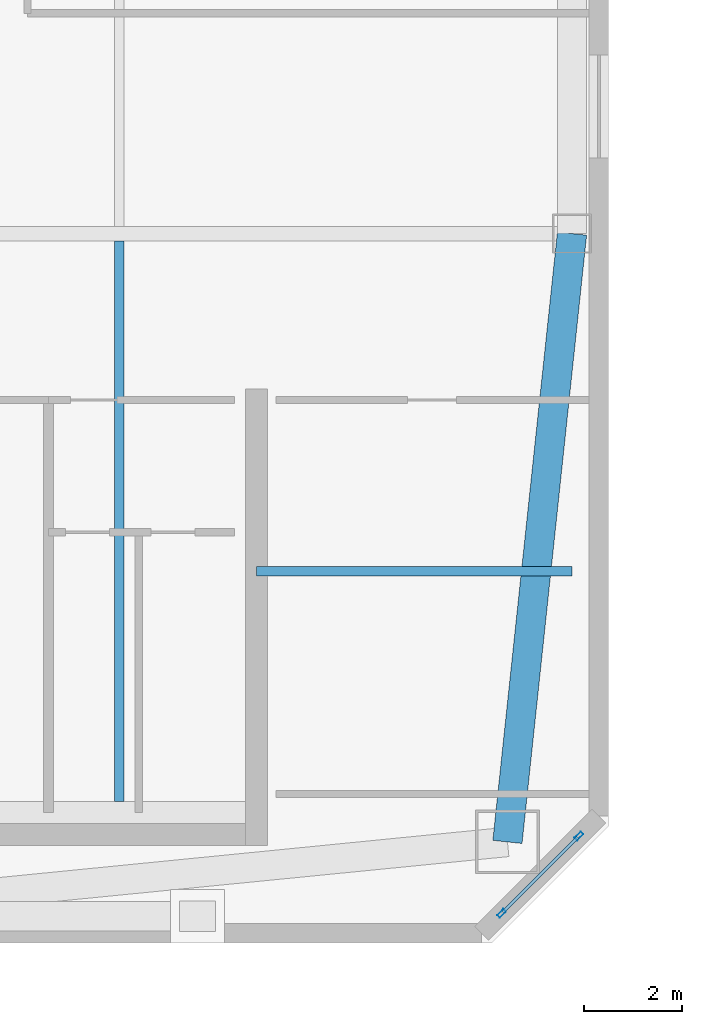
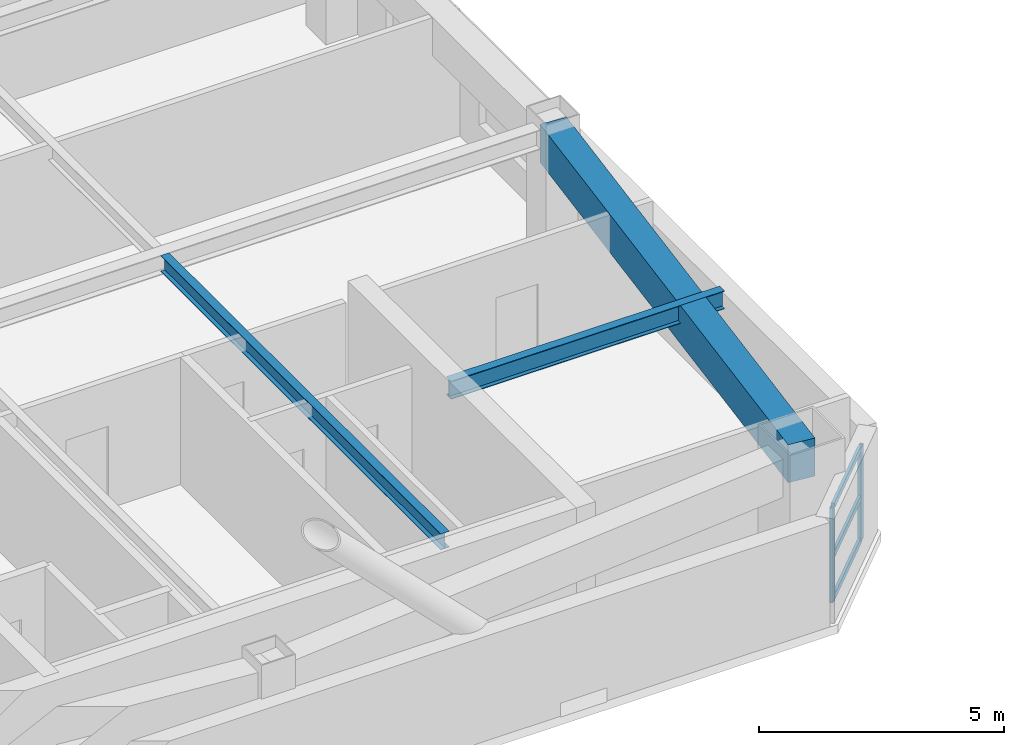
# One storey, part 4 of 20: 5 members, 3 beams, 1 element without a shape of its own.
"""IFC4 building model written with IfcOpenShell, lengths in metres."""

from ifc_helpers import new_model, si_unit, direction, frame, origin, origin_2d, place, context, subcontext, project, spatial, rectangle, hollow_rectangle, i_section, extrude, material, layer, layer_set, material_profile, profile_set, type_object, element, aggregate, save


model = new_model("IFC4")

# Units and contexts
model_context = context("Model", 3, precision=1e-05, world=origin(), true_north=direction((0.0, 1.0)))
body_context = subcontext(model_context, "Body", "Model", "MODEL_VIEW")
ifc_project = project(units=[si_unit("LENGTHUNIT", "METRE"), si_unit("AREAUNIT", "SQUARE_METRE"), si_unit("VOLUMEUNIT", "CUBIC_METRE"), si_unit("PLANEANGLEUNIT", "RADIAN"), si_unit("MASSUNIT", "GRAM", prefix="KILO")], contexts=[model_context])

# Site, building, storey
site_placement = place(None, origin())
site = spatial("IfcSite", under=ifc_project, at=site_placement, CompositionType="ELEMENT")
building_placement = place(site_placement, origin())
building = spatial("IfcBuilding", under=site, at=building_placement, Name="Qiaolan Cultural Towers", CompositionType="ELEMENT")
storey_placement = place(building_placement, frame((0.0, 0.0, 223.10009765625)))
storey = spatial("IfcBuildingStorey", under=building, at=storey_placement, Name="L60", CompositionType="ELEMENT", Elevation=223.10009765625)

# Beams
ifc_material_1 = material(Name="Steel Q355B", Category="steel")
ifc_material_profile_1 = material_profile(ifc_material_1, i_section(OverallWidth=0.199951171875, OverallDepth=0.39990234375, WebThickness=0.008056640625, FlangeThickness=0.012939453125, at=origin_2d()), Name="HN400x200x8x13")
ifc_profile_set_1 = profile_set([ifc_material_profile_1], Name="Steel Q355B")
beam_type_1 = type_object("IfcBeamType", Name="BM-JST-HN400x200x8x13", PredefinedType="JOIST", material=ifc_profile_set_1)
beam_1_placement = place(storey_placement, frame((35.39990234375, 13.39990234375, 2.989990234375), z_axis=(0.0, 1.0, 0.0), x_axis=(-1.0, 0.0, 0.0)))
element("IfcBeam", 1, at=beam_1_placement, inside=storey, type_object=beam_type_1, Name="L60 T1 Secondary Floor Joist U3-1", PredefinedType="JOIST", context=body_context, shape_type="SweptSolid", body=[
    extrude(i_section(OverallWidth=0.199951171875, OverallDepth=0.39990234375, WebThickness=0.008056640625, FlangeThickness=0.012939453125, at=origin_2d()), origin(), (0.0, 0.0, 1.0), 11.4501953125),
])
ifc_material_2 = material(Name="Steel Q355B", Category="steel")
ifc_material_profile_2 = material_profile(ifc_material_2, i_section(OverallWidth=0.199951171875, OverallDepth=0.449951171875, WebThickness=0.009033203125, FlangeThickness=0.013916015625, at=origin_2d()), Name="HN450x200x9x14")
ifc_profile_set_2 = profile_set([ifc_material_profile_2], Name="Steel Q355B")
beam_type_2 = type_object("IfcBeamType", Name="BM-LNT-HN450x200x9x14", PredefinedType="LINTEL", material=ifc_profile_set_2)
beam_2_placement = place(storey_placement, frame((38.199951171875, 18.10009765625, 2.96484375), z_axis=(1.0, 0.0, 0.0), x_axis=(0.0, 1.0, 0.0)))
element("IfcBeam", 2, at=beam_2_placement, inside=storey, type_object=beam_type_2, Name="L60 T1 Core Flank Tie Lintel ES", PredefinedType="LINTEL", context=body_context, shape_type="SweptSolid", body=[
    extrude(i_section(OverallWidth=0.199951171875, OverallDepth=0.449951171875, WebThickness=0.009033203125, FlangeThickness=0.013916015625, at=origin_2d()), origin(), (0.0, 0.0, 1.0), 6.449951171875),
])
ifc_material_3 = material(Name="Concrete C50", Category="concrete")
ifc_material_profile_3 = material_profile(ifc_material_3, rectangle(XDim=0.60009765625, YDim=0.949951171875, at=origin_2d()), Name="RC600x950")
ifc_profile_set_3 = profile_set([ifc_material_profile_3], Name="Concrete C50")
beam_type_3 = type_object("IfcBeamType", Name="BM-SPD-RC600x950", PredefinedType="SPANDREL", material=ifc_profile_set_3)
beam_3_placement = place(storey_placement, frame((43.330078125, 12.570068359375, 2.71484375), z_axis=(0.105587580773, 0.994410007384, 0.0), x_axis=(-0.994410007384, 0.105587580773, 0.0)))
element("IfcBeam", 3, at=beam_3_placement, inside=storey, type_object=beam_type_3, Name="L60 T1 Perimeter Spandrel Beam 3", PredefinedType="SPANDREL", context=body_context, shape_type="SweptSolid", body=[
    extrude(rectangle(XDim=0.60009765625, YDim=0.949951171875, at=origin_2d()), origin(), (0.0, 0.0, 1.0), 12.499755859375),
])

# Curtain wall, members
ifc_material_4 = material(Name="Unitized Anodized Aluminium Curtain Wall System", Category="aluminium")
ifc_layer = layer(ifc_material_4, 0.199951171875)
ifc_layer_set = layer_set([ifc_layer], Name="Unitized Anodized Aluminium Curtain Wall System")
curtain_wall_type = type_object("IfcCurtainWallType", Name="CWS-05", PredefinedType="NOTDEFINED", material=ifc_layer_set)
curtain_wall_placement = place(storey_placement, origin())
curtain_wall = element("IfcCurtainWall", 4, at=curtain_wall_placement, inside=storey, type_object=curtain_wall_type, Name="L60 T1 Chamfer Wind-Corner Feature Curtain Wall 2", PredefinedType="NOTDEFINED")
ifc_material_5 = material(Name="Extruded Aluminium 6063-T6", Category="aluminium")
ifc_material_profile_4 = material_profile(ifc_material_5, hollow_rectangle(XDim=0.074951171875, YDim=0.179931640625, WallThickness=0.00390625, at=origin_2d()), Name="CWM-180x75x4")
ifc_profile_set_4 = profile_set([ifc_material_profile_4], Name="Extruded Aluminium 6063-T6")
member_type_1 = type_object("IfcMemberType", Name="CWS-05-MUL", PredefinedType="MULLION", material=ifc_profile_set_4)
member_1_placement = place(storey_placement, frame((44.78955078125, 12.689453125, 0.14990234375), z_axis=(0.0, 0.0, 1.0), x_axis=(0.707106781187, -0.707106781187, 0.0)))
member_1 = element("IfcMember", 5, at=member_1_placement, type_object=member_type_1, Name="CW-5 mullion 1", PredefinedType="MULLION", context=body_context, shape_type="SweptSolid", body=[
    extrude(hollow_rectangle(XDim=0.074951171875, YDim=0.179931640625, WallThickness=0.00390625, at=origin_2d()), origin(), (0.0, 0.0, 1.0), 2.360107421875),
])
member_2_placement = place(storey_placement, frame((43.21044921875, 11.110595703125, 0.14990234375), z_axis=(0.0, 0.0, 1.0), x_axis=(0.707106781187, -0.707106781187, 0.0)))
member_2 = element("IfcMember", 6, at=member_2_placement, type_object=member_type_1, Name="CW-5 mullion 2", PredefinedType="MULLION", context=body_context, shape_type="SweptSolid", body=[
    extrude(hollow_rectangle(XDim=0.074951171875, YDim=0.179931640625, WallThickness=0.00390625, at=origin_2d()), origin(), (0.0, 0.0, 1.0), 2.360107421875),
])
ifc_material_6 = material(Name="Extruded Aluminium 6063-T6", Category="aluminium")
ifc_material_profile_5 = material_profile(ifc_material_6, hollow_rectangle(XDim=0.06494140625, YDim=0.14990234375, WallThickness=0.00390625, at=origin_2d()), Name="CWT-150x65x4")
ifc_profile_set_5 = profile_set([ifc_material_profile_5], Name="Extruded Aluminium 6063-T6")
member_type_2 = type_object("IfcMemberType", Name="CWS-05-TRN", PredefinedType="USERDEFINED", material=ifc_profile_set_5)
member_3_placement = place(storey_placement, frame((44.762939453125, 12.6630859375, 0.182373046875), z_axis=(-0.707050214907, -0.707163342941, 0.0), x_axis=(0.707163342941, -0.707050214907, 0.0)))
member_3 = element("IfcMember", 7, at=member_3_placement, type_object=member_type_2, Name="CW-5 transom 1.1", ObjectType="TRANSOM", PredefinedType="USERDEFINED", context=body_context, shape_type="SweptSolid", body=[
    extrude(hollow_rectangle(XDim=0.06494140625, YDim=0.14990234375, WallThickness=0.00390625, at=origin_2d()), origin(), (0.0, 0.0, 1.0), 2.158203125),
])
member_4_placement = place(storey_placement, frame((44.762939453125, 12.6630859375, 1.25), z_axis=(-0.707050214907, -0.707163342941, 0.0), x_axis=(0.707163342941, -0.707050214907, 0.0)))
member_4 = element("IfcMember", 8, at=member_4_placement, type_object=member_type_2, Name="CW-5 transom 1.2", ObjectType="TRANSOM", PredefinedType="USERDEFINED", context=body_context, shape_type="SweptSolid", body=[
    extrude(hollow_rectangle(XDim=0.06494140625, YDim=0.14990234375, WallThickness=0.00390625, at=origin_2d()), origin(), (0.0, 0.0, 1.0), 2.158203125),
])
member_5_placement = place(storey_placement, frame((44.762939453125, 12.6630859375, 2.477294921875), z_axis=(-0.707050214907, -0.707163342941, 0.0), x_axis=(0.707163342941, -0.707050214907, 0.0)))
member_5 = element("IfcMember", 9, at=member_5_placement, type_object=member_type_2, Name="CW-5 transom 1.3", ObjectType="TRANSOM", PredefinedType="USERDEFINED", context=body_context, shape_type="SweptSolid", body=[
    extrude(hollow_rectangle(XDim=0.06494140625, YDim=0.14990234375, WallThickness=0.00390625, at=origin_2d()), origin(), (0.0, 0.0, 1.0), 2.158203125),
])
aggregate(curtain_wall, [member_1, member_2, member_3, member_4, member_5])

save(model, "model.ifc")
